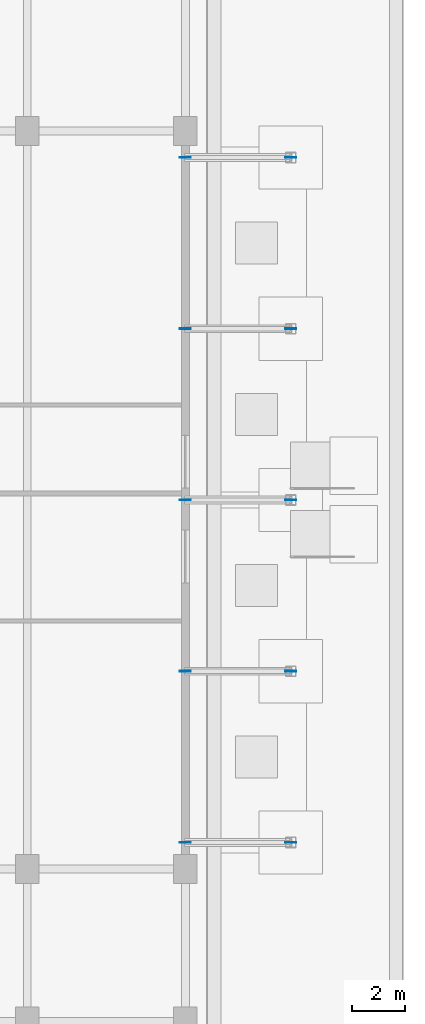
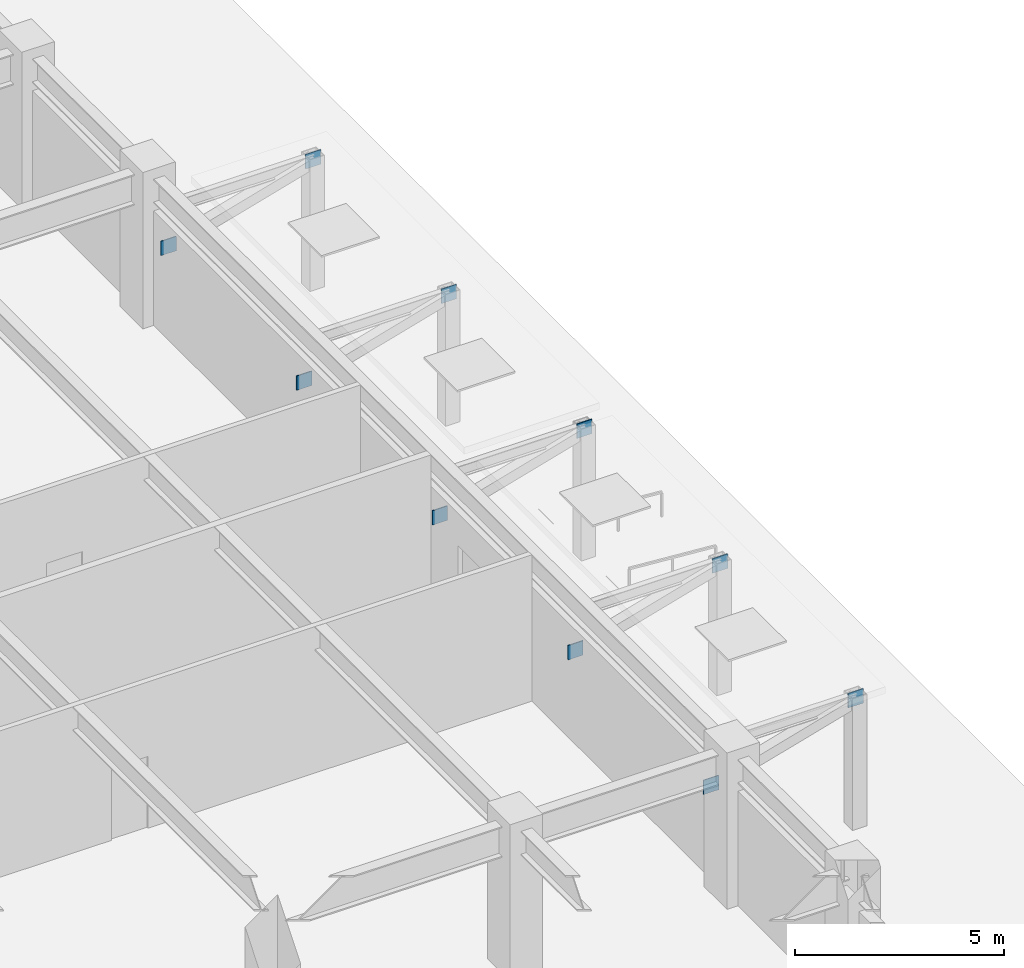
# One storey, part 15 of 23: 10 plates.
"""IFC4 building model written with IfcOpenShell, lengths in metres."""

from ifc_helpers import new_model, si_unit, direction, frame, origin, origin_2d, place, context, subcontext, project, spatial, rectangle, extrude, material, layer, layer_set, type_object, element, save


model = new_model("IFC4")

# Units and contexts
model_context = context("Model", 3, precision=1e-05, world=origin(), true_north=direction((0.0, 1.0)))
body_context = subcontext(model_context, "Body", "Model", "MODEL_VIEW")
ifc_project = project(units=[si_unit("LENGTHUNIT", "METRE"), si_unit("AREAUNIT", "SQUARE_METRE"), si_unit("VOLUMEUNIT", "CUBIC_METRE"), si_unit("PLANEANGLEUNIT", "RADIAN"), si_unit("MASSUNIT", "GRAM", prefix="KILO")], contexts=[model_context])

# Site, building, storey
site_placement = place(None, origin())
site = spatial("IfcSite", under=ifc_project, at=site_placement, CompositionType="ELEMENT")
building_placement = place(site_placement, origin())
building = spatial("IfcBuilding", under=site, at=building_placement, Name="Varnakorn Sky Granary", CompositionType="ELEMENT")
storey_placement = place(building_placement, origin())
storey = spatial("IfcBuildingStorey", under=building, at=storey_placement, Name="L00", CompositionType="ELEMENT", Elevation=0.0)

# Plates
ifc_material = material(Name="Steel S460M", Category="steel")
ifc_layer = layer(ifc_material, 0.028076171875, Name="Steel S460M")
ifc_layer_set = layer_set([ifc_layer], Name="Steel S460M")
plate_type = type_object("IfcPlateType", Name="PL-NODE-KN10", PredefinedType="SHEET", material=ifc_layer_set)
for number, where, z_axis, x_axis, name in (
    (1, (33.199951171875, -13.0, 2.340087890625), (0.0, 0.0, 1.0), (1.0, 0.0, 0.0), "Canopy Strut Inner Gusset Plate KN10-6A"),
    (2, (37.199951171875, -13.0, 3.47509765625), (0.0, 0.0, 1.0), (1.0, 0.0, 0.0), "Canopy Strut Outer Gusset Plate KN10-6B"),
    (3, (33.199951171875, -6.5, 2.340087890625), (0.0, 0.0, 1.0), (1.0, 0.0, 0.0), "Canopy Strut Inner Gusset Plate KN10-7A"),
    (4, (37.199951171875, -6.5, 3.47509765625), (0.0, 0.0, 1.0), (1.0, 0.0, 0.0), "Canopy Strut Outer Gusset Plate KN10-7B"),
    (5, (33.199951171875, 0.0, 2.340087890625), (0.0, 0.0, 1.0), (1.0, 0.0, 0.0), "Canopy Strut Inner Gusset Plate KN10-8A"),
    (6, (37.199951171875, 0.0, 3.47509765625), (0.0, 0.0, 1.0), (1.0, 0.0, 0.0), "Canopy Strut Outer Gusset Plate KN10-8B"),
    (7, (33.199951171875, 6.5, 2.340087890625), (0.0, 0.0, 1.0), (1.0, 0.0, 0.0), "Canopy Strut Inner Gusset Plate KN10-9A"),
    (8, (37.199951171875, 6.5, 3.47509765625), (0.0, 0.0, 1.0), (1.0, 0.0, 0.0), "Canopy Strut Outer Gusset Plate KN10-9B"),
    (9, (33.199951171875, 13.0, 2.340087890625), (0.0, 0.0, 1.0), (1.0, 0.0, 0.0), "Canopy Strut Inner Gusset Plate KN10-10A"),
    (10, (37.199951171875, 13.0, 3.47509765625), (0.0, 0.0, 1.0), (1.0, 0.0, 0.0), "Canopy Strut Outer Gusset Plate KN10-10B"),
):
    element("IfcPlate", number, at=place(storey_placement, frame(where, z_axis=z_axis, x_axis=x_axis)), inside=storey, type_object=plate_type, Name=name, PredefinedType="SHEET", context=body_context, shape_type="SweptSolid", body=[
        extrude(rectangle(XDim=0.419921875, YDim=0.028076171875, at=origin_2d()), origin(), (0.0, 0.0, 1.0), 0.419921875),
    ])

save(model, "model.ifc")
